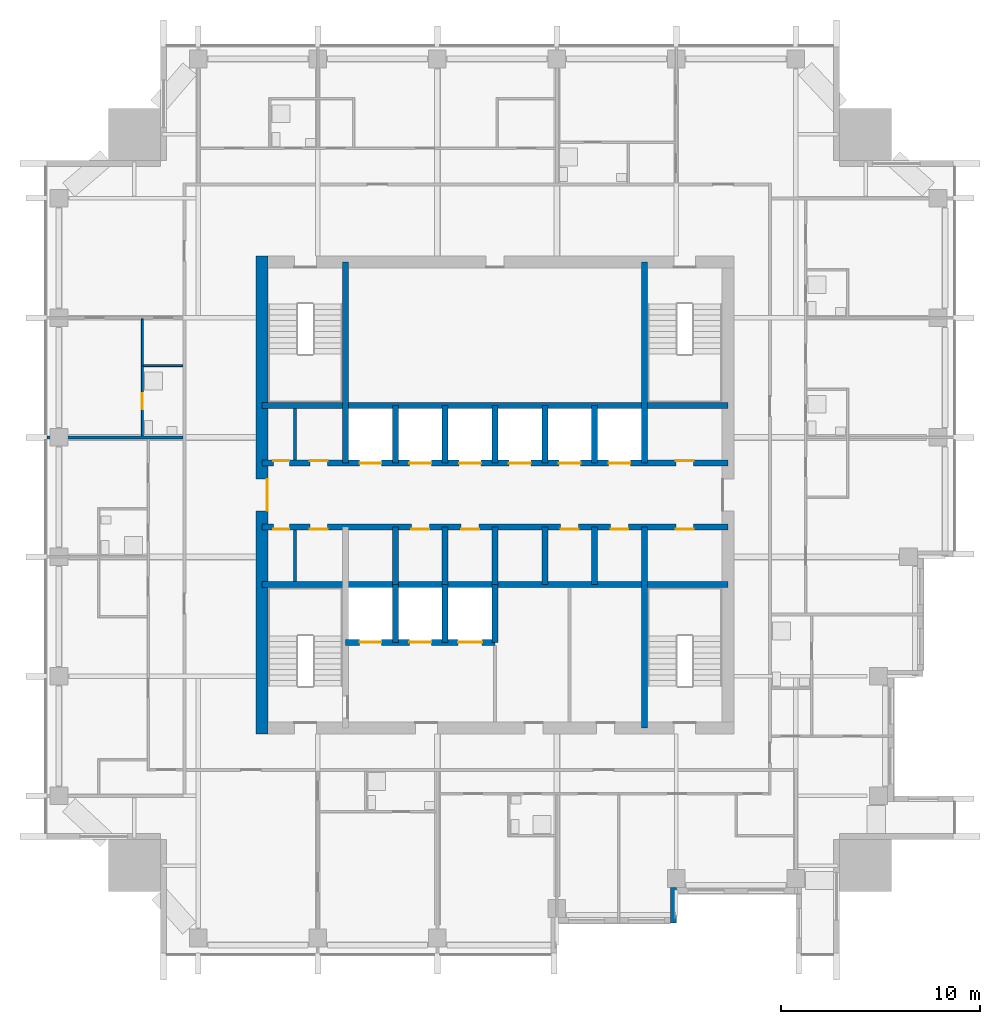
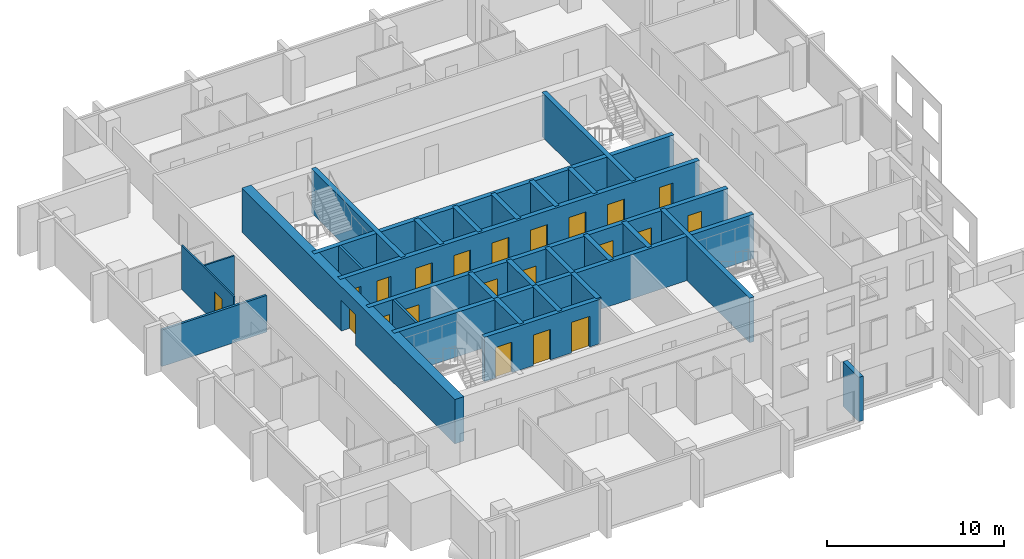
# One storey, part 5 of 12: 28 walls, 21 doors, 21 openings.
"""IFC4 building model written with IfcOpenShell, lengths in metres."""

from ifc_helpers import new_model, si_unit, direction, frame, frame_2d, origin, place, context, subcontext, project, spatial, rectangle, extrude, material, layer, layer_set, type_object, element, fill, save


model = new_model("IFC4")

# Units and contexts
model_context = context("Model", 3, precision=1e-05, world=origin(), true_north=direction((0.0, 1.0)))
body_context = subcontext(model_context, "Body", "Model", "MODEL_VIEW")
ifc_project = project(units=[si_unit("LENGTHUNIT", "METRE"), si_unit("AREAUNIT", "SQUARE_METRE"), si_unit("VOLUMEUNIT", "CUBIC_METRE"), si_unit("PLANEANGLEUNIT", "RADIAN"), si_unit("MASSUNIT", "GRAM", prefix="KILO")], contexts=[model_context])

# Site, building, storey
site_placement = place(None, origin())
site = spatial("IfcSite", under=ifc_project, at=site_placement, CompositionType="ELEMENT")
building_placement = place(site_placement, origin())
building = spatial("IfcBuilding", under=site, at=building_placement, Name="Amberfall Residences", CompositionType="ELEMENT")
storey_placement = place(building_placement, frame((0.0, 0.0, 187.0)))
storey = spatial("IfcBuildingStorey", under=building, at=storey_placement, Name="L49", CompositionType="ELEMENT", Elevation=187.0)

# Walls
ifc_material_1 = material(Name="Pale stone cladding on insulated backing", Category="masonry")
ifc_layer_1 = layer(ifc_material_1, 0.300048828125)
ifc_layer_set_1 = layer_set([ifc_layer_1], Name="Bronze clad wall 300")
wall_type_1 = type_object("IfcWallType", Name="Bronze clad wall 300", PredefinedType="SOLIDWALL", material=ifc_layer_set_1)
wall_1_placement = place(storey_placement, frame((83.449951171875, 24.0, 0.0), z_axis=(0.0, 0.0, 1.0), x_axis=(0.0, 1.0, 0.0)))
element("IfcWall", 1, at=wall_1_placement, inside=storey, type_object=wall_type_1, Name="External wall L49 S", PredefinedType="SOLIDWALL", context=body_context, shape_type="SweptSolid", body=[
    extrude(rectangle(XDim=1.800048828125, YDim=0.300048828125, at=frame_2d((0.89990234375, 0.0))), origin(), (0.0, 0.0, 1.0), 3.050048828125),
])
ifc_material_2 = material(Name="Concrete C55", Category="concrete")
ifc_layer_2 = layer(ifc_material_2, 0.300048828125)
ifc_layer_set_2 = layer_set([ifc_layer_2], Name="Core wall 300 C55")
wall_type_2 = type_object("IfcWallType", Name="Core wall 300 C55", PredefinedType="SHEAR", material=ifc_layer_set_2)
wall_2_placement = place(storey_placement, frame((62.800048828125, 41.0, 0.0), z_axis=(0.0, 0.0, 1.0), x_axis=(1.0, 0.0, 0.0)))
element("IfcWall", 2, at=wall_2_placement, inside=storey, type_object=wall_type_2, Name="Core wall RW8 L49 H75", PredefinedType="SHEAR", context=body_context, shape_type="SweptSolid", body=[
    extrude(rectangle(XDim=23.39990234375, YDim=0.300048828125, at=frame_2d((11.699951171875, 0.0))), origin(), (0.0, 0.0, 1.0), 3.050048828125),
])

# Wall, openings, doors
wall_3_placement = place(storey_placement, frame((62.800048828125, 43.89990234375, 0.0), z_axis=(0.0, 0.0, 1.0), x_axis=(1.0, 0.0, 0.0)))
wall_3 = element("IfcWall", 3, at=wall_3_placement, inside=storey, type_object=wall_type_2, Name="Core wall RW8 L49 H104", PredefinedType="SHEAR", context=body_context, shape_type="SweptSolid", body=[
    extrude(rectangle(XDim=23.39990234375, YDim=0.300048828125, at=frame_2d((11.699951171875, 0.0))), origin(), (0.0, 0.0, 1.0), 3.050048828125),
])
opening_1_placement = place(wall_3_placement, frame((0.574951171875, 0.0, 0.0)))
opening_1 = element("IfcOpeningElement", 4, at=opening_1_placement, cuts=wall_3, Name="Opening RD2", PredefinedType="OPENING", context=body_context, shape_type="SweptSolid", body=[
    extrude(rectangle(XDim=0.800048828125, YDim=2.10009765625, at=frame_2d((0.39990234375, 1.050048828125))), frame((0.0, 0.159912109375, 0.0), z_axis=(0.0, -1.0, 0.0), x_axis=(1.0, 0.0, 0.0)), (0.0, 0.0, 1.0), 0.320068359375),
])
opening_2_placement = place(wall_3_placement, frame((2.39990234375, 0.0, 0.0)))
opening_2 = element("IfcOpeningElement", 5, at=opening_2_placement, cuts=wall_3, Name="Opening RD1", PredefinedType="OPENING", context=body_context, shape_type="SweptSolid", body=[
    extrude(rectangle(XDim=0.89990234375, YDim=2.10009765625, at=frame_2d((0.449951171875, 1.050048828125))), frame((0.0, 0.159912109375, 0.0), z_axis=(0.0, -1.0, 0.0), x_axis=(1.0, 0.0, 0.0)), (0.0, 0.0, 1.0), 0.320068359375),
])
opening_3_placement = place(wall_3_placement, frame((20.77490234375, 0.0, 0.0)))
opening_3 = element("IfcOpeningElement", 6, at=opening_3_placement, cuts=wall_3, Name="Opening RD1", PredefinedType="OPENING", context=body_context, shape_type="SweptSolid", body=[
    extrude(rectangle(XDim=0.89990234375, YDim=2.10009765625, at=frame_2d((0.449951171875, 1.050048828125))), frame((0.0, 0.159912109375, 0.0), z_axis=(0.0, -1.0, 0.0), x_axis=(1.0, 0.0, 0.0)), (0.0, 0.0, 1.0), 0.320068359375),
])
opening_4_placement = place(wall_3_placement, frame((7.5, 0.0, 0.0)))
opening_4 = element("IfcOpeningElement", 7, at=opening_4_placement, cuts=wall_3, Name="Opening RD1", PredefinedType="OPENING", context=body_context, shape_type="SweptSolid", body=[
    extrude(rectangle(XDim=0.89990234375, YDim=2.10009765625, at=frame_2d((0.449951171875, 1.050048828125))), frame((0.0, 0.159912109375, 0.0), z_axis=(0.0, -1.0, 0.0), x_axis=(1.0, 0.0, 0.0)), (0.0, 0.0, 1.0), 0.320068359375),
])
opening_5_placement = place(wall_3_placement, frame((10.0, 0.0, 0.0)))
opening_5 = element("IfcOpeningElement", 8, at=opening_5_placement, cuts=wall_3, Name="Opening RD1", PredefinedType="OPENING", context=body_context, shape_type="SweptSolid", body=[
    extrude(rectangle(XDim=0.89990234375, YDim=2.10009765625, at=frame_2d((0.449951171875, 1.050048828125))), frame((0.0, 0.159912109375, 0.0), z_axis=(0.0, -1.0, 0.0), x_axis=(1.0, 0.0, 0.0)), (0.0, 0.0, 1.0), 0.320068359375),
])
opening_6_placement = place(wall_3_placement, frame((15.0, 0.0, 0.0)))
opening_6 = element("IfcOpeningElement", 9, at=opening_6_placement, cuts=wall_3, Name="Opening RD1", PredefinedType="OPENING", context=body_context, shape_type="SweptSolid", body=[
    extrude(rectangle(XDim=0.89990234375, YDim=2.10009765625, at=frame_2d((0.449951171875, 1.050048828125))), frame((0.0, 0.159912109375, 0.0), z_axis=(0.0, -1.0, 0.0), x_axis=(1.0, 0.0, 0.0)), (0.0, 0.0, 1.0), 0.320068359375),
])
opening_7_placement = place(wall_3_placement, frame((17.5, 0.0, 0.0)))
opening_7 = element("IfcOpeningElement", 10, at=opening_7_placement, cuts=wall_3, Name="Opening RD1", PredefinedType="OPENING", context=body_context, shape_type="SweptSolid", body=[
    extrude(rectangle(XDim=0.89990234375, YDim=2.10009765625, at=frame_2d((0.449951171875, 1.050048828125))), frame((0.0, 0.159912109375, 0.0), z_axis=(0.0, -1.0, 0.0), x_axis=(1.0, 0.0, 0.0)), (0.0, 0.0, 1.0), 0.320068359375),
])
ifc_material_3 = material(Name="Steel fire door set", Category="steel")
door_type_1 = type_object("IfcDoorType", Name="Service room door 800 x 2100", OperationType="SINGLE_SWING_LEFT", PredefinedType="DOOR", material=ifc_material_3)
door_1_placement = place(opening_1_placement, origin())
door_1 = element("IfcDoor", 11, at=door_1_placement, inside=storey, type_object=door_type_1, Name="RD2 L49", OperationType="SINGLE_SWING_LEFT", OverallHeight=2.10009765625, OverallWidth=0.800048828125, PredefinedType="DOOR", context=body_context, shape_type="SweptSolid", body=[
    extrude(rectangle(XDim=0.800048828125, YDim=2.10009765625, at=frame_2d((0.39990234375, 1.050048828125))), frame((0.0, -0.08740234375, 0.0), z_axis=(0.0, -1.0, 0.0), x_axis=(1.0, 0.0, 0.0)), (0.0, 0.0, 1.0), 0.050048828125),
])
fill(opening_1, door_1)
door_type_2 = type_object("IfcDoorType", Name="Service room door 900 x 2100", OperationType="SINGLE_SWING_LEFT", PredefinedType="DOOR", material=ifc_material_3)
door_2_placement = place(opening_2_placement, origin())
door_2 = element("IfcDoor", 12, at=door_2_placement, inside=storey, type_object=door_type_2, Name="RD1 L49", OperationType="SINGLE_SWING_RIGHT", OverallHeight=2.10009765625, OverallWidth=0.89990234375, PredefinedType="DOOR", context=body_context, shape_type="SweptSolid", body=[
    extrude(rectangle(XDim=0.89990234375, YDim=2.10009765625, at=frame_2d((0.449951171875, 1.050048828125))), frame((0.0, -0.08740234375, 0.0), z_axis=(0.0, -1.0, 0.0), x_axis=(1.0, 0.0, 0.0)), (0.0, 0.0, 1.0), 0.050048828125),
])
fill(opening_2, door_2)
door_3_placement = place(opening_3_placement, origin())
door_3 = element("IfcDoor", 13, at=door_3_placement, inside=storey, type_object=door_type_2, Name="RD1 L49", OperationType="SINGLE_SWING_LEFT", OverallHeight=2.10009765625, OverallWidth=0.89990234375, PredefinedType="DOOR", context=body_context, shape_type="SweptSolid", body=[
    extrude(rectangle(XDim=0.89990234375, YDim=2.10009765625, at=frame_2d((0.449951171875, 1.050048828125))), frame((0.0, -0.08740234375, 0.0), z_axis=(0.0, -1.0, 0.0), x_axis=(1.0, 0.0, 0.0)), (0.0, 0.0, 1.0), 0.050048828125),
])
fill(opening_3, door_3)
door_4_placement = place(opening_4_placement, origin())
door_4 = element("IfcDoor", 14, at=door_4_placement, inside=storey, type_object=door_type_2, Name="RD1 L49", OperationType="SINGLE_SWING_LEFT", OverallHeight=2.10009765625, OverallWidth=0.89990234375, PredefinedType="DOOR", context=body_context, shape_type="SweptSolid", body=[
    extrude(rectangle(XDim=0.89990234375, YDim=2.10009765625, at=frame_2d((0.449951171875, 1.050048828125))), frame((0.0, -0.08740234375, 0.0), z_axis=(0.0, -1.0, 0.0), x_axis=(1.0, 0.0, 0.0)), (0.0, 0.0, 1.0), 0.050048828125),
])
fill(opening_4, door_4)
door_5_placement = place(opening_5_placement, origin())
door_5 = element("IfcDoor", 15, at=door_5_placement, inside=storey, type_object=door_type_2, Name="RD1 L49", OperationType="SINGLE_SWING_RIGHT", OverallHeight=2.10009765625, OverallWidth=0.89990234375, PredefinedType="DOOR", context=body_context, shape_type="SweptSolid", body=[
    extrude(rectangle(XDim=0.89990234375, YDim=2.10009765625, at=frame_2d((0.449951171875, 1.050048828125))), frame((0.0, -0.08740234375, 0.0), z_axis=(0.0, -1.0, 0.0), x_axis=(1.0, 0.0, 0.0)), (0.0, 0.0, 1.0), 0.050048828125),
])
fill(opening_5, door_5)
door_6_placement = place(opening_6_placement, origin())
door_6 = element("IfcDoor", 16, at=door_6_placement, inside=storey, type_object=door_type_2, Name="RD1 L49", OperationType="SINGLE_SWING_RIGHT", OverallHeight=2.10009765625, OverallWidth=0.89990234375, PredefinedType="DOOR", context=body_context, shape_type="SweptSolid", body=[
    extrude(rectangle(XDim=0.89990234375, YDim=2.10009765625, at=frame_2d((0.449951171875, 1.050048828125))), frame((0.0, -0.08740234375, 0.0), z_axis=(0.0, -1.0, 0.0), x_axis=(1.0, 0.0, 0.0)), (0.0, 0.0, 1.0), 0.050048828125),
])
fill(opening_6, door_6)
door_7_placement = place(opening_7_placement, origin())
door_7 = element("IfcDoor", 17, at=door_7_placement, inside=storey, type_object=door_type_2, Name="RD1 L49", OperationType="SINGLE_SWING_LEFT", OverallHeight=2.10009765625, OverallWidth=0.89990234375, PredefinedType="DOOR", context=body_context, shape_type="SweptSolid", body=[
    extrude(rectangle(XDim=0.89990234375, YDim=2.10009765625, at=frame_2d((0.449951171875, 1.050048828125))), frame((0.0, -0.08740234375, 0.0), z_axis=(0.0, -1.0, 0.0), x_axis=(1.0, 0.0, 0.0)), (0.0, 0.0, 1.0), 0.050048828125),
])
fill(opening_7, door_7)

wall_4_placement = place(storey_placement, frame((62.800048828125, 47.10009765625, 0.0), z_axis=(0.0, 0.0, 1.0), x_axis=(1.0, 0.0, 0.0)))
wall_4 = element("IfcWall", 18, at=wall_4_placement, inside=storey, type_object=wall_type_2, Name="Core wall RW8 L49 H136", PredefinedType="SHEAR", context=body_context, shape_type="SweptSolid", body=[
    extrude(rectangle(XDim=23.39990234375, YDim=0.300048828125, at=frame_2d((11.699951171875, 0.0))), origin(), (0.0, 0.0, 1.0), 3.050048828125),
])
opening_8_placement = place(wall_4_placement, frame((0.574951171875, 0.0, 0.0)))
opening_8 = element("IfcOpeningElement", 19, at=opening_8_placement, cuts=wall_4, Name="Opening RD2", PredefinedType="OPENING", context=body_context, shape_type="SweptSolid", body=[
    extrude(rectangle(XDim=0.800048828125, YDim=2.10009765625, at=frame_2d((0.39990234375, 1.050048828125))), frame((0.0, 0.159912109375, 0.0), z_axis=(0.0, -1.0, 0.0), x_axis=(1.0, 0.0, 0.0)), (0.0, 0.0, 1.0), 0.320068359375),
])
opening_9_placement = place(wall_4_placement, frame((2.39990234375, 0.0, 0.0)))
opening_9 = element("IfcOpeningElement", 20, at=opening_9_placement, cuts=wall_4, Name="Opening RD1", PredefinedType="OPENING", context=body_context, shape_type="SweptSolid", body=[
    extrude(rectangle(XDim=0.89990234375, YDim=2.10009765625, at=frame_2d((0.449951171875, 1.050048828125))), frame((0.0, 0.159912109375, 0.0), z_axis=(0.0, -1.0, 0.0), x_axis=(1.0, 0.0, 0.0)), (0.0, 0.0, 1.0), 0.320068359375),
])
opening_10_placement = place(wall_4_placement, frame((20.77490234375, 0.0, 0.0)))
opening_10 = element("IfcOpeningElement", 21, at=opening_10_placement, cuts=wall_4, Name="Opening RD1", PredefinedType="OPENING", context=body_context, shape_type="SweptSolid", body=[
    extrude(rectangle(XDim=0.89990234375, YDim=2.10009765625, at=frame_2d((0.449951171875, 1.050048828125))), frame((0.0, 0.159912109375, 0.0), z_axis=(0.0, -1.0, 0.0), x_axis=(1.0, 0.0, 0.0)), (0.0, 0.0, 1.0), 0.320068359375),
])
opening_11_placement = place(wall_4_placement, frame((4.89990234375, 0.0, 0.0)))
opening_11 = element("IfcOpeningElement", 22, at=opening_11_placement, cuts=wall_4, Name="Opening LD1", PredefinedType="OPENING", context=body_context, shape_type="SweptSolid", body=[
    extrude(rectangle(XDim=1.10009765625, YDim=2.10009765625, at=frame_2d((0.550048828125, 1.050048828125))), frame((0.0, 0.159912109375, 0.0), z_axis=(0.0, -1.0, 0.0), x_axis=(1.0, 0.0, 0.0)), (0.0, 0.0, 1.0), 0.320068359375),
])
opening_12_placement = place(wall_4_placement, frame((7.39990234375, 0.0, 0.0)))
opening_12 = element("IfcOpeningElement", 23, at=opening_12_placement, cuts=wall_4, Name="Opening LD1", PredefinedType="OPENING", context=body_context, shape_type="SweptSolid", body=[
    extrude(rectangle(XDim=1.10009765625, YDim=2.10009765625, at=frame_2d((0.550048828125, 1.050048828125))), frame((0.0, 0.159912109375, 0.0), z_axis=(0.0, -1.0, 0.0), x_axis=(1.0, 0.0, 0.0)), (0.0, 0.0, 1.0), 0.320068359375),
])
opening_13_placement = place(wall_4_placement, frame((9.89990234375, 0.0, 0.0)))
opening_13 = element("IfcOpeningElement", 24, at=opening_13_placement, cuts=wall_4, Name="Opening LD1", PredefinedType="OPENING", context=body_context, shape_type="SweptSolid", body=[
    extrude(rectangle(XDim=1.10009765625, YDim=2.10009765625, at=frame_2d((0.550048828125, 1.050048828125))), frame((0.0, 0.159912109375, 0.0), z_axis=(0.0, -1.0, 0.0), x_axis=(1.0, 0.0, 0.0)), (0.0, 0.0, 1.0), 0.320068359375),
])
opening_14_placement = place(wall_4_placement, frame((12.39990234375, 0.0, 0.0)))
opening_14 = element("IfcOpeningElement", 25, at=opening_14_placement, cuts=wall_4, Name="Opening LD1", PredefinedType="OPENING", context=body_context, shape_type="SweptSolid", body=[
    extrude(rectangle(XDim=1.10009765625, YDim=2.10009765625, at=frame_2d((0.550048828125, 1.050048828125))), frame((0.0, 0.159912109375, 0.0), z_axis=(0.0, -1.0, 0.0), x_axis=(1.0, 0.0, 0.0)), (0.0, 0.0, 1.0), 0.320068359375),
])
opening_15_placement = place(wall_4_placement, frame((14.89990234375, 0.0, 0.0)))
opening_15 = element("IfcOpeningElement", 26, at=opening_15_placement, cuts=wall_4, Name="Opening LD1", PredefinedType="OPENING", context=body_context, shape_type="SweptSolid", body=[
    extrude(rectangle(XDim=1.10009765625, YDim=2.10009765625, at=frame_2d((0.550048828125, 1.050048828125))), frame((0.0, 0.159912109375, 0.0), z_axis=(0.0, -1.0, 0.0), x_axis=(1.0, 0.0, 0.0)), (0.0, 0.0, 1.0), 0.320068359375),
])
opening_16_placement = place(wall_4_placement, frame((17.39990234375, 0.0, 0.0)))
opening_16 = element("IfcOpeningElement", 27, at=opening_16_placement, cuts=wall_4, Name="Opening LD1", PredefinedType="OPENING", context=body_context, shape_type="SweptSolid", body=[
    extrude(rectangle(XDim=1.10009765625, YDim=2.10009765625, at=frame_2d((0.550048828125, 1.050048828125))), frame((0.0, 0.159912109375, 0.0), z_axis=(0.0, -1.0, 0.0), x_axis=(1.0, 0.0, 0.0)), (0.0, 0.0, 1.0), 0.320068359375),
])
door_type_3 = type_object("IfcDoorType", Name="Lift landing door 1100 x 2100", OperationType="DOUBLE_DOOR_SLIDING", PredefinedType="DOOR", material=ifc_material_3)
door_8_placement = place(opening_11_placement, origin())
door_8 = element("IfcDoor", 28, at=door_8_placement, inside=storey, type_object=door_type_3, Name="Landing door HP1 L49", OperationType="DOUBLE_DOOR_SLIDING", OverallHeight=2.10009765625, OverallWidth=1.10009765625, PredefinedType="DOOR", context=body_context, shape_type="SweptSolid", body=[
    extrude(rectangle(XDim=1.10009765625, YDim=2.10009765625, at=frame_2d((0.550048828125, 1.050048828125))), frame((0.0, 0.02490234375, 0.0), z_axis=(0.0, -1.0, 0.0), x_axis=(1.0, 0.0, 0.0)), (0.0, 0.0, 1.0), 0.050048828125),
])
fill(opening_11, door_8)
door_9_placement = place(opening_12_placement, origin())
door_9 = element("IfcDoor", 29, at=door_9_placement, inside=storey, type_object=door_type_3, Name="Landing door HP2 L49", OperationType="DOUBLE_DOOR_SLIDING", OverallHeight=2.10009765625, OverallWidth=1.10009765625, PredefinedType="DOOR", context=body_context, shape_type="SweptSolid", body=[
    extrude(rectangle(XDim=1.10009765625, YDim=2.10009765625, at=frame_2d((0.550048828125, 1.050048828125))), frame((0.0, 0.02490234375, 0.0), z_axis=(0.0, -1.0, 0.0), x_axis=(1.0, 0.0, 0.0)), (0.0, 0.0, 1.0), 0.050048828125),
])
fill(opening_12, door_9)
door_10_placement = place(opening_13_placement, origin())
door_10 = element("IfcDoor", 30, at=door_10_placement, inside=storey, type_object=door_type_3, Name="Landing door HP3 L49", OperationType="DOUBLE_DOOR_SLIDING", OverallHeight=2.10009765625, OverallWidth=1.10009765625, PredefinedType="DOOR", context=body_context, shape_type="SweptSolid", body=[
    extrude(rectangle(XDim=1.10009765625, YDim=2.10009765625, at=frame_2d((0.550048828125, 1.050048828125))), frame((0.0, 0.02490234375, 0.0), z_axis=(0.0, -1.0, 0.0), x_axis=(1.0, 0.0, 0.0)), (0.0, 0.0, 1.0), 0.050048828125),
])
fill(opening_13, door_10)
door_11_placement = place(opening_14_placement, origin())
door_11 = element("IfcDoor", 31, at=door_11_placement, inside=storey, type_object=door_type_3, Name="Landing door HP4 L49", OperationType="DOUBLE_DOOR_SLIDING", OverallHeight=2.10009765625, OverallWidth=1.10009765625, PredefinedType="DOOR", context=body_context, shape_type="SweptSolid", body=[
    extrude(rectangle(XDim=1.10009765625, YDim=2.10009765625, at=frame_2d((0.550048828125, 1.050048828125))), frame((0.0, 0.02490234375, 0.0), z_axis=(0.0, -1.0, 0.0), x_axis=(1.0, 0.0, 0.0)), (0.0, 0.0, 1.0), 0.050048828125),
])
fill(opening_14, door_11)
door_12_placement = place(opening_15_placement, origin())
door_12 = element("IfcDoor", 32, at=door_12_placement, inside=storey, type_object=door_type_3, Name="Landing door HP5 L49", OperationType="DOUBLE_DOOR_SLIDING", OverallHeight=2.10009765625, OverallWidth=1.10009765625, PredefinedType="DOOR", context=body_context, shape_type="SweptSolid", body=[
    extrude(rectangle(XDim=1.10009765625, YDim=2.10009765625, at=frame_2d((0.550048828125, 1.050048828125))), frame((0.0, 0.02490234375, 0.0), z_axis=(0.0, -1.0, 0.0), x_axis=(1.0, 0.0, 0.0)), (0.0, 0.0, 1.0), 0.050048828125),
])
fill(opening_15, door_12)
door_13_placement = place(opening_16_placement, origin())
door_13 = element("IfcDoor", 33, at=door_13_placement, inside=storey, type_object=door_type_3, Name="Landing door HP6 L49", OperationType="DOUBLE_DOOR_SLIDING", OverallHeight=2.10009765625, OverallWidth=1.10009765625, PredefinedType="DOOR", context=body_context, shape_type="SweptSolid", body=[
    extrude(rectangle(XDim=1.10009765625, YDim=2.10009765625, at=frame_2d((0.550048828125, 1.050048828125))), frame((0.0, 0.02490234375, 0.0), z_axis=(0.0, -1.0, 0.0), x_axis=(1.0, 0.0, 0.0)), (0.0, 0.0, 1.0), 0.050048828125),
])
fill(opening_16, door_13)
door_14_placement = place(opening_8_placement, origin())
door_14 = element("IfcDoor", 34, at=door_14_placement, inside=storey, type_object=door_type_1, Name="RD2 L49", OperationType="SINGLE_SWING_LEFT", OverallHeight=2.10009765625, OverallWidth=0.800048828125, PredefinedType="DOOR", context=body_context, shape_type="SweptSolid", body=[
    extrude(rectangle(XDim=0.800048828125, YDim=2.10009765625, at=frame_2d((0.39990234375, 1.050048828125))), frame((0.0, 0.1376953125, 0.0), z_axis=(0.0, -1.0, 0.0), x_axis=(1.0, 0.0, 0.0)), (0.0, 0.0, 1.0), 0.050048828125),
])
fill(opening_8, door_14)
door_15_placement = place(opening_9_placement, origin())
door_15 = element("IfcDoor", 35, at=door_15_placement, inside=storey, type_object=door_type_2, Name="RD1 L49", OperationType="SINGLE_SWING_RIGHT", OverallHeight=2.10009765625, OverallWidth=0.89990234375, PredefinedType="DOOR", context=body_context, shape_type="SweptSolid", body=[
    extrude(rectangle(XDim=0.89990234375, YDim=2.10009765625, at=frame_2d((0.449951171875, 1.050048828125))), frame((0.0, 0.1376953125, 0.0), z_axis=(0.0, -1.0, 0.0), x_axis=(1.0, 0.0, 0.0)), (0.0, 0.0, 1.0), 0.050048828125),
])
fill(opening_9, door_15)
door_16_placement = place(opening_10_placement, origin())
door_16 = element("IfcDoor", 36, at=door_16_placement, inside=storey, type_object=door_type_2, Name="RD1 L49", OperationType="SINGLE_SWING_LEFT", OverallHeight=2.10009765625, OverallWidth=0.89990234375, PredefinedType="DOOR", context=body_context, shape_type="SweptSolid", body=[
    extrude(rectangle(XDim=0.89990234375, YDim=2.10009765625, at=frame_2d((0.449951171875, 1.050048828125))), frame((0.0, 0.1376953125, 0.0), z_axis=(0.0, -1.0, 0.0), x_axis=(1.0, 0.0, 0.0)), (0.0, 0.0, 1.0), 0.050048828125),
])
fill(opening_10, door_16)

# Walls
wall_5_placement = place(storey_placement, frame((62.800048828125, 50.0, 0.0), z_axis=(0.0, 0.0, 1.0), x_axis=(1.0, 0.0, 0.0)))
element("IfcWall", 37, at=wall_5_placement, inside=storey, type_object=wall_type_2, Name="Core wall RW8 L49 H165", PredefinedType="SHEAR", context=body_context, shape_type="SweptSolid", body=[
    extrude(rectangle(XDim=23.39990234375, YDim=0.300048828125, at=frame_2d((11.699951171875, 0.0))), origin(), (0.0, 0.0, 1.0), 3.050048828125),
])
for number, where, z_axis, x_axis, name in (
    (38, (67.0, 47.10009765625, 0.0), (0.0, 0.0, 1.0), (0.0, 1.0, 0.0), "Core wall RW8 L49 V45N"),
    (39, (82.0, 33.800048828125, 0.0), (0.0, 0.0, 1.0), (0.0, 1.0, 0.0), "Core wall RW8 L49 V195S"),
    (40, (82.0, 47.10009765625, 0.0), (0.0, 0.0, 1.0), (0.0, 1.0, 0.0), "Core wall RW8 L49 V195N"),
):
    element("IfcWall", number, at=place(storey_placement, frame(where, z_axis=z_axis, x_axis=x_axis)), inside=storey, type_object=wall_type_2, Name=name, PredefinedType="SHEAR", context=body_context, shape_type="SweptSolid", body=[
        extrude(rectangle(XDim=10.099853515625, YDim=0.300048828125, at=frame_2d((5.0498046875, 0.0))), origin(), (0.0, 0.0, 1.0), 3.050048828125),
    ])
for number, where, z_axis, x_axis, name in (
    (41, (69.5, 41.0, 0.0), (0.0, 0.0, 1.0), (0.0, 1.0, 0.0), "Core wall RW8 L49 LPD1"),
    (42, (69.5, 47.10009765625, 0.0), (0.0, 0.0, 1.0), (0.0, 1.0, 0.0), "Core wall RW8 L49 HPD1"),
    (43, (72.0, 41.0, 0.0), (0.0, 0.0, 1.0), (0.0, 1.0, 0.0), "Core wall RW8 L49 LPD2"),
    (44, (72.0, 47.10009765625, 0.0), (0.0, 0.0, 1.0), (0.0, 1.0, 0.0), "Core wall RW8 L49 HPD2"),
    (45, (74.5, 41.0, 0.0), (0.0, 0.0, 1.0), (0.0, 1.0, 0.0), "Core wall RW8 L49 LPD3"),
    (46, (74.5, 47.10009765625, 0.0), (0.0, 0.0, 1.0), (0.0, 1.0, 0.0), "Core wall RW8 L49 HPD3"),
    (47, (77.0, 41.0, 0.0), (0.0, 0.0, 1.0), (0.0, 1.0, 0.0), "Core wall RW8 L49 LPD4"),
    (48, (77.0, 47.10009765625, 0.0), (0.0, 0.0, 1.0), (0.0, 1.0, 0.0), "Core wall RW8 L49 HPD4"),
    (49, (79.5, 41.0, 0.0), (0.0, 0.0, 1.0), (0.0, 1.0, 0.0), "Core wall RW8 L49 LPD5"),
    (50, (79.5, 47.10009765625, 0.0), (0.0, 0.0, 1.0), (0.0, 1.0, 0.0), "Core wall RW8 L49 HPD5"),
):
    element("IfcWall", number, at=place(storey_placement, frame(where, z_axis=z_axis, x_axis=x_axis)), inside=storey, type_object=wall_type_2, Name=name, PredefinedType="SHEAR", context=body_context, shape_type="SweptSolid", body=[
        extrude(rectangle(XDim=2.89990234375, YDim=0.300048828125, at=frame_2d((1.449951171875, 0.0))), origin(), (0.0, 0.0, 1.0), 3.050048828125),
    ])

# Wall, openings, doors
wall_6_placement = place(storey_placement, frame((67.0, 38.10009765625, 0.0), z_axis=(0.0, 0.0, 1.0), x_axis=(1.0, 0.0, 0.0)))
wall_6 = element("IfcWall", 51, at=wall_6_placement, inside=storey, type_object=wall_type_2, Name="Core wall RW8 L49 FFF", PredefinedType="SHEAR", context=body_context, shape_type="SweptSolid", body=[
    extrude(rectangle(XDim=7.5, YDim=0.300048828125, at=frame_2d((3.75, 0.0))), origin(), (0.0, 0.0, 1.0), 3.050048828125),
])
opening_17_placement = place(wall_6_placement, frame((0.699951171875, 0.0, 0.0)))
opening_17 = element("IfcOpeningElement", 52, at=opening_17_placement, cuts=wall_6, Name="Opening LD2", PredefinedType="OPENING", context=body_context, shape_type="SweptSolid", body=[
    extrude(rectangle(XDim=1.10009765625, YDim=2.10009765625, at=frame_2d((0.550048828125, 1.050048828125))), frame((0.0, 0.159912109375, 0.0), z_axis=(0.0, -1.0, 0.0), x_axis=(1.0, 0.0, 0.0)), (0.0, 0.0, 1.0), 0.320068359375),
])
opening_18_placement = place(wall_6_placement, frame((3.199951171875, 0.0, 0.0)))
opening_18 = element("IfcOpeningElement", 53, at=opening_18_placement, cuts=wall_6, Name="Opening LD2", PredefinedType="OPENING", context=body_context, shape_type="SweptSolid", body=[
    extrude(rectangle(XDim=1.10009765625, YDim=2.10009765625, at=frame_2d((0.550048828125, 1.050048828125))), frame((0.0, 0.159912109375, 0.0), z_axis=(0.0, -1.0, 0.0), x_axis=(1.0, 0.0, 0.0)), (0.0, 0.0, 1.0), 0.320068359375),
])
opening_19_placement = place(wall_6_placement, frame((5.64990234375, 0.0, 0.0)))
opening_19 = element("IfcOpeningElement", 54, at=opening_19_placement, cuts=wall_6, Name="Opening LD3", PredefinedType="OPENING", context=body_context, shape_type="SweptSolid", body=[
    extrude(rectangle(XDim=1.199951171875, YDim=2.10009765625, at=frame_2d((0.60009765625, 1.050048828125))), frame((0.0, 0.159912109375, 0.0), z_axis=(0.0, -1.0, 0.0), x_axis=(1.0, 0.0, 0.0)), (0.0, 0.0, 1.0), 0.320068359375),
])
door_type_4 = type_object("IfcDoorType", Name="Firefighting lift landing door 1100 x 2100", OperationType="DOUBLE_DOOR_SLIDING", PredefinedType="DOOR", material=ifc_material_3)
door_17_placement = place(opening_17_placement, origin())
door_17 = element("IfcDoor", 55, at=door_17_placement, inside=storey, type_object=door_type_4, Name="Landing door FF1 L49", OperationType="DOUBLE_DOOR_SLIDING", OverallHeight=2.10009765625, OverallWidth=1.10009765625, PredefinedType="DOOR", context=body_context, shape_type="SweptSolid", body=[
    extrude(rectangle(XDim=1.10009765625, YDim=2.10009765625, at=frame_2d((0.550048828125, 1.050048828125))), frame((0.0, 0.02490234375, 0.0), z_axis=(0.0, -1.0, 0.0), x_axis=(1.0, 0.0, 0.0)), (0.0, 0.0, 1.0), 0.050048828125),
])
fill(opening_17, door_17)
door_18_placement = place(opening_18_placement, origin())
door_18 = element("IfcDoor", 56, at=door_18_placement, inside=storey, type_object=door_type_4, Name="Landing door FF2 L49", OperationType="DOUBLE_DOOR_SLIDING", OverallHeight=2.10009765625, OverallWidth=1.10009765625, PredefinedType="DOOR", context=body_context, shape_type="SweptSolid", body=[
    extrude(rectangle(XDim=1.10009765625, YDim=2.10009765625, at=frame_2d((0.550048828125, 1.050048828125))), frame((0.0, 0.02490234375, 0.0), z_axis=(0.0, -1.0, 0.0), x_axis=(1.0, 0.0, 0.0)), (0.0, 0.0, 1.0), 0.050048828125),
])
fill(opening_18, door_18)
door_type_5 = type_object("IfcDoorType", Name="Service lift landing door 1200 x 2100", OperationType="DOUBLE_DOOR_SLIDING", PredefinedType="DOOR", material=ifc_material_3)
door_19_placement = place(opening_19_placement, origin())
door_19 = element("IfcDoor", 57, at=door_19_placement, inside=storey, type_object=door_type_5, Name="Landing door SL1 L49", OperationType="DOUBLE_DOOR_SLIDING", OverallHeight=2.10009765625, OverallWidth=1.199951171875, PredefinedType="DOOR", context=body_context, shape_type="SweptSolid", body=[
    extrude(rectangle(XDim=1.199951171875, YDim=2.10009765625, at=frame_2d((0.60009765625, 1.050048828125))), frame((0.0, 0.02490234375, 0.0), z_axis=(0.0, -1.0, 0.0), x_axis=(1.0, 0.0, 0.0)), (0.0, 0.0, 1.0), 0.050048828125),
])
fill(opening_19, door_19)

# Walls
for number, where, z_axis, x_axis, name in (
    (58, (69.5, 38.10009765625, 0.0), (0.0, 0.0, 1.0), (0.0, 1.0, 0.0), "Core wall RW8 L49 FFD1"),
    (59, (72.0, 38.10009765625, 0.0), (0.0, 0.0, 1.0), (0.0, 1.0, 0.0), "Core wall RW8 L49 FFD2"),
    (60, (74.5, 38.10009765625, 0.0), (0.0, 0.0, 1.0), (0.0, 1.0, 0.0), "Core wall RW8 L49 FFD3"),
):
    element("IfcWall", number, at=place(storey_placement, frame(where, z_axis=z_axis, x_axis=x_axis)), inside=storey, type_object=wall_type_2, Name=name, PredefinedType="SHEAR", context=body_context, shape_type="SweptSolid", body=[
        extrude(rectangle(XDim=2.89990234375, YDim=0.300048828125, at=frame_2d((1.449951171875, 0.0))), origin(), (0.0, 0.0, 1.0), 3.050048828125),
    ])

# Wall, opening, door
ifc_layer_3 = layer(ifc_material_2, 0.60009765625)
ifc_layer_set_3 = layer_set([ifc_layer_3], Name="Core wall 600 C55")
wall_type_3 = type_object("IfcWallType", Name="Core wall 600 C55", PredefinedType="SHEAR", material=ifc_layer_set_3)
wall_7_placement = place(storey_placement, frame((62.800048828125, 33.5, 0.0), z_axis=(0.0, 0.0, 1.0), x_axis=(0.0, 1.0, 0.0)))
wall_7 = element("IfcWall", 61, at=wall_7_placement, inside=storey, type_object=wall_type_3, Name="Core wall RW7 L49 OW", PredefinedType="SHEAR", context=body_context, shape_type="SweptSolid", body=[
    extrude(rectangle(XDim=24.0, YDim=0.60009765625, at=frame_2d((12.0, 0.0))), origin(), (0.0, 0.0, 1.0), 3.050048828125),
])
opening_20_placement = place(wall_7_placement, frame((11.199951171875, 0.0, 0.0)))
opening_20 = element("IfcOpeningElement", 62, at=opening_20_placement, cuts=wall_7, Name="Opening LB1", PredefinedType="OPENING", context=body_context, shape_type="SweptSolid", body=[
    extrude(rectangle(XDim=1.60009765625, YDim=2.10009765625, at=frame_2d((0.800048828125, 1.050048828125))), frame((0.0, 0.31005859375, 0.0), z_axis=(0.0, -1.0, 0.0), x_axis=(1.0, 0.0, 0.0)), (0.0, 0.0, 1.0), 0.6201171875),
])
door_type_6 = type_object("IfcDoorType", Name="Lift lobby double door 1600 x 2100", OperationType="DOUBLE_DOOR_SINGLE_SWING", PredefinedType="DOOR", material=ifc_material_3)
door_20_placement = place(opening_20_placement, origin())
door_20 = element("IfcDoor", 63, at=door_20_placement, inside=storey, type_object=door_type_6, Name="LB1 L49", OperationType="DOUBLE_DOOR_SINGLE_SWING", OverallHeight=2.10009765625, OverallWidth=1.60009765625, PredefinedType="DOOR", context=body_context, shape_type="SweptSolid", body=[
    extrude(rectangle(XDim=1.60009765625, YDim=2.10009765625, at=frame_2d((0.800048828125, 1.050048828125))), frame((0.0, -0.2373046875, 0.0), z_axis=(0.0, -1.0, 0.0), x_axis=(1.0, 0.0, 0.0)), (0.0, 0.0, 1.0), 0.050048828125),
])
fill(opening_20, door_20)

ifc_material_4 = material(Name="Gypsum board on metal stud")
ifc_layer_4 = layer(ifc_material_4, 0.10009765625)
ifc_layer_set_4 = layer_set([ifc_layer_4], Name="Flat partition 100")
wall_type_4 = type_object("IfcWallType", Name="Flat partition 100", PredefinedType="PARTITIONING", material=ifc_layer_set_4)
wall_8_placement = place(storey_placement, frame((56.800048828125, 54.35009765625, 0.0), z_axis=(0.0, 0.0, 1.0), x_axis=(0.0, -1.0, 0.0)))
wall_8 = element("IfcWall", 64, at=wall_8_placement, inside=storey, type_object=wall_type_4, Name="Partition 003", PredefinedType="PARTITIONING", context=body_context, shape_type="SweptSolid", body=[
    extrude(rectangle(XDim=5.875, YDim=0.10009765625, at=frame_2d((2.9375, 0.0))), origin(), (0.0, 0.0, 1.0), 3.050048828125),
])
opening_21_placement = place(wall_8_placement, frame((3.75, 0.0, 0.0)))
opening_21 = element("IfcOpeningElement", 65, at=opening_21_placement, cuts=wall_8, Name="Opening D42", PredefinedType="OPENING", context=body_context, shape_type="SweptSolid", body=[
    extrude(rectangle(XDim=0.800048828125, YDim=2.10009765625, at=frame_2d((0.39990234375, 1.050048828125))), frame((0.0, 0.06005859375, 0.0), z_axis=(0.0, -1.0, 0.0), x_axis=(1.0, 0.0, 0.0)), (0.0, 0.0, 1.0), 0.1201171875),
])
ifc_material_5 = material(Name="Timber", Category="wood")
door_type_7 = type_object("IfcDoorType", Name="Bathroom door 800 x 2100", OperationType="SINGLE_SWING_LEFT", PredefinedType="DOOR", material=ifc_material_5)
door_21_placement = place(opening_21_placement, origin())
door_21 = element("IfcDoor", 66, at=door_21_placement, inside=storey, type_object=door_type_7, Name="Door 4908 bath1", OperationType="SINGLE_SWING_LEFT", OverallHeight=2.10009765625, OverallWidth=0.800048828125, PredefinedType="DOOR", context=body_context, shape_type="SweptSolid", body=[
    extrude(rectangle(XDim=0.800048828125, YDim=2.10009765625, at=frame_2d((0.39990234375, 1.050048828125))), frame((0.0, 0.02490234375, 0.0), z_axis=(0.0, -1.0, 0.0), x_axis=(1.0, 0.0, 0.0)), (0.0, 0.0, 1.0), 0.050048828125),
])
fill(opening_21, door_21)

# Walls
wall_9_placement = place(storey_placement, frame((56.85009765625, 52.0, 0.0), z_axis=(0.0, 0.0, 1.0), x_axis=(1.0, 0.0, 0.0)))
element("IfcWall", 67, at=wall_9_placement, inside=storey, type_object=wall_type_4, Name="Partition 029", PredefinedType="PARTITIONING", context=body_context, shape_type="SweptSolid", body=[
    extrude(rectangle(XDim=1.974853515625, YDim=0.10009765625, at=frame_2d((0.9873046875, 0.0))), origin(), (0.0, 0.0, 1.0), 3.050048828125),
])
ifc_material_6 = material(Name="Blockwork, plastered", Category="masonry")
ifc_layer_5 = layer(ifc_material_6, 0.14990234375)
ifc_layer_set_5 = layer_set([ifc_layer_5], Name="Flat separating wall 150")
wall_type_5 = type_object("IfcWallType", Name="Flat separating wall 150", PredefinedType="PARTITIONING", material=ifc_layer_set_5)
wall_10_placement = place(storey_placement, frame((52.0, 48.39990234375, 0.0), z_axis=(0.0, 0.0, 1.0), x_axis=(1.0, 0.0, 0.0)))
element("IfcWall", 68, at=wall_10_placement, inside=storey, type_object=wall_type_5, Name="Separating wall 052", PredefinedType="PARTITIONING", context=body_context, shape_type="SweptSolid", body=[
    extrude(rectangle(XDim=6.824951171875, YDim=0.14990234375, at=frame_2d((3.41259765625, 0.0))), origin(), (0.0, 0.0, 1.0), 2.51611328125),
])
ifc_material_7 = material(Name="Concrete blockwork", Category="masonry")
ifc_layer_6 = layer(ifc_material_7, 0.14990234375)
ifc_layer_set_6 = layer_set([ifc_layer_6], Name="Riser wall 150")
wall_type_6 = type_object("IfcWallType", Name="Riser wall 150", PredefinedType="PLUMBINGWALL", material=ifc_layer_set_6)
for number, where, z_axis, x_axis, name in (
    (69, (64.449951171875, 41.14990234375, 0.0), (0.0, 0.0, 1.0), (0.0, 1.0, 0.0), "L49 core wall ASW0"),
    (70, (64.449951171875, 47.25, 0.0), (0.0, 0.0, 1.0), (0.0, 1.0, 0.0), "L49 core wall ANW0"),
):
    element("IfcWall", number, at=place(storey_placement, frame(where, z_axis=z_axis, x_axis=x_axis)), inside=storey, type_object=wall_type_6, Name=name, PredefinedType="PLUMBINGWALL", context=body_context, shape_type="SweptSolid", body=[
        extrude(rectangle(XDim=2.60009765625, YDim=0.14990234375, at=frame_2d((1.300048828125, 0.0))), origin(), (0.0, 0.0, 1.0), 3.050048828125),
    ])

save(model, "model.ifc")
